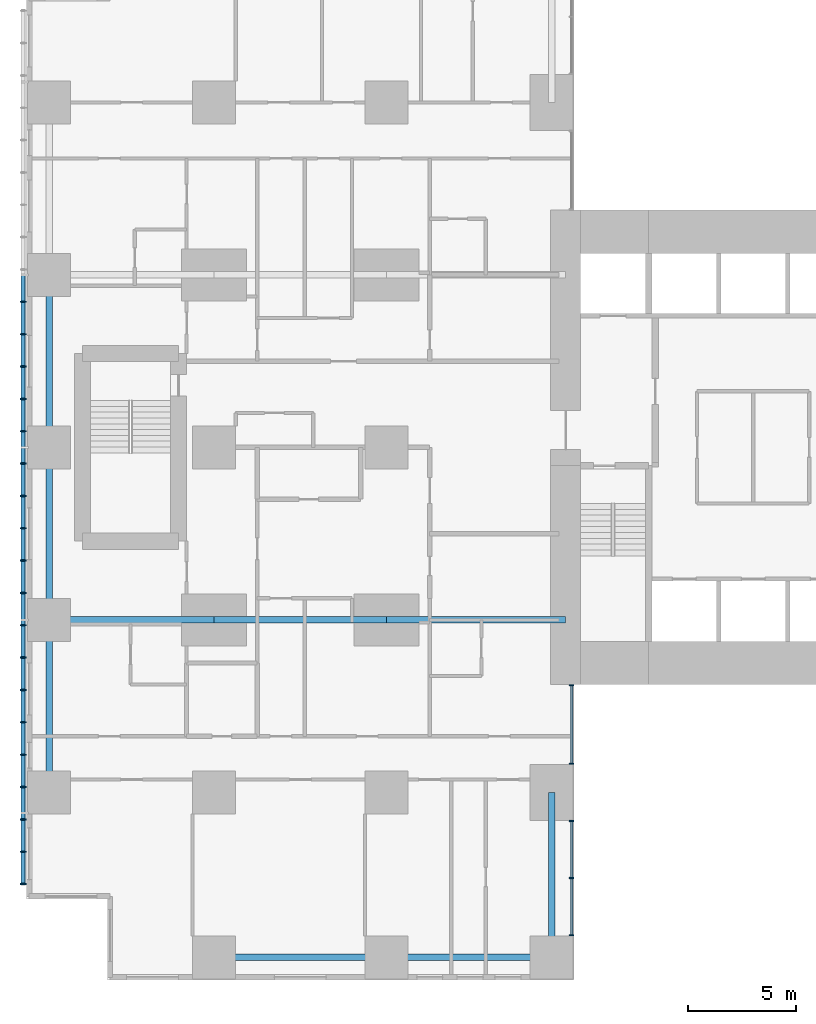
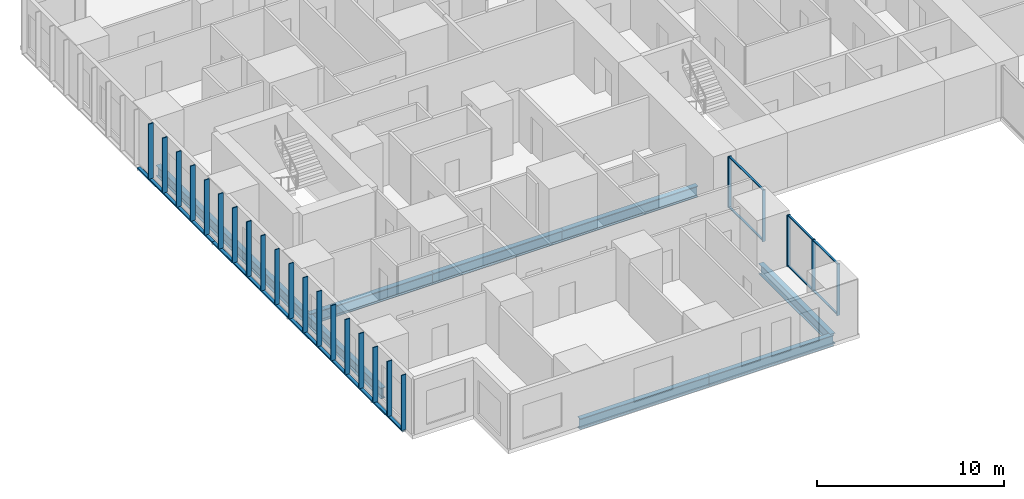
# One storey, part 2 of 20: 33 members, 9 beams, 2 elements without a shape of their own.
"""IFC4 building model written with IfcOpenShell, lengths in metres."""

from ifc_helpers import new_model, si_unit, direction, frame, origin, origin_2d, place, context, subcontext, project, spatial, rectangle, hollow_rectangle, i_section, extrude, material, layer, layer_set, material_profile, profile_set, type_object, element, aggregate, save


model = new_model("IFC4")

# Units and contexts
model_context = context("Model", 3, precision=1e-05, world=origin(), true_north=direction((0.0, 1.0)))
body_context = subcontext(model_context, "Body", "Model", "MODEL_VIEW")
ifc_project = project(units=[si_unit("LENGTHUNIT", "METRE"), si_unit("AREAUNIT", "SQUARE_METRE"), si_unit("VOLUMEUNIT", "CUBIC_METRE"), si_unit("PLANEANGLEUNIT", "RADIAN"), si_unit("MASSUNIT", "GRAM", prefix="KILO")], contexts=[model_context])

# Site, building, storey
site_placement = place(None, origin())
site = spatial("IfcSite", under=ifc_project, at=site_placement, CompositionType="ELEMENT")
building_placement = place(site_placement, origin())
building = spatial("IfcBuilding", under=site, at=building_placement, Name="Cleftline Residences", CompositionType="ELEMENT")
storey_placement = place(building_placement, frame((0.0, 0.0, 153.800048828125)))
storey = spatial("IfcBuildingStorey", under=building, at=storey_placement, Name="L40", CompositionType="ELEMENT", Elevation=153.800048828125)

# Members
ifc_material_1 = material(Name="Steel S355, hot-dip galvanised", Category="steel")
ifc_material_profile_1 = material_profile(ifc_material_1, hollow_rectangle(XDim=0.10009765625, YDim=0.199951171875, WallThickness=0.008056640625, InnerFilletRadius=0.008056640625, OuterFilletRadius=0.011962890625, at=origin_2d()))
ifc_profile_set_1 = profile_set([ifc_material_profile_1], Name="Steel S355, hot-dip galvanised")
member_type_1 = type_object("IfcMemberType", Name="BAGUETTE CARRIER RHS 200X100X8", PredefinedType="USERDEFINED", material=ifc_profile_set_1)
for number, where, z_axis, x_axis, name in (
    (1, (-0.85009765625, 32.0, -0.050048828125), (0.0, -1.0, 0.0), (0.0, 0.0, 1.0), "Baguette carrier"),
    (2, (-0.85009765625, 24.0, -0.050048828125), (0.0, -1.0, 0.0), (0.0, 0.0, 1.0), "Baguette carrier"),
):
    element("IfcMember", number, at=place(storey_placement, frame(where, z_axis=z_axis, x_axis=x_axis)), inside=storey, type_object=member_type_1, Name=name, ObjectType="BAGUETTE CARRIER", PredefinedType="USERDEFINED", context=body_context, shape_type="SweptSolid", body=[
        extrude(hollow_rectangle(XDim=0.10009765625, YDim=0.199951171875, WallThickness=0.008056640625, InnerFilletRadius=0.008056640625, OuterFilletRadius=0.011962890625, at=origin_2d()), origin(), (0.0, 0.0, 1.0), 8.0),
    ])
member_1_placement = place(storey_placement, frame((-0.85009765625, 16.0, -0.050048828125), z_axis=(0.0, -1.0, 0.0), x_axis=(0.0, 0.0, 1.0)))
element("IfcMember", 3, at=member_1_placement, inside=storey, type_object=member_type_1, Name="Baguette carrier", ObjectType="BAGUETTE CARRIER", PredefinedType="USERDEFINED", context=body_context, shape_type="SweptSolid", body=[
    extrude(hollow_rectangle(XDim=0.10009765625, YDim=0.199951171875, WallThickness=0.008056640625, InnerFilletRadius=0.008056640625, OuterFilletRadius=0.011962890625, at=origin_2d()), origin(), (0.0, 0.0, 1.0), 12.300048828125),
])

# Beams
ifc_material_2 = material(Name="Steel S355", Category="steel")
ifc_material_profile_2 = material_profile(ifc_material_2, i_section(OverallWidth=0.300048828125, OverallDepth=0.699951171875, WebThickness=0.01708984375, FlangeThickness=0.031982421875, FilletRadius=0.027099609375, at=origin_2d()))
ifc_profile_set_2 = profile_set([ifc_material_profile_2], Name="Steel S355")
beam_type_1 = type_object("IfcBeamType", Name="BEAM HEB 700", PredefinedType="BEAM", material=ifc_profile_set_2)
for number, where, z_axis, x_axis, name in (
    (4, (0.35009765625, 8.0, -0.60009765625), (0.0, 1.0, 0.0), (-1.0, 0.0, 0.0), "Edge beam"),
    (5, (0.35009765625, 16.0, -0.60009765625), (0.0, 1.0, 0.0), (-1.0, 0.0, 0.0), "Edge beam"),
    (6, (0.35009765625, 24.0, -0.60009765625), (0.0, 1.0, 0.0), (-1.0, 0.0, 0.0), "Edge beam"),
    (7, (8.0, 0.35009765625, -0.60009765625), (1.0, 0.0, 0.0), (0.0, 1.0, 0.0), "Edge beam"),
):
    element("IfcBeam", number, at=place(storey_placement, frame(where, z_axis=z_axis, x_axis=x_axis)), inside=storey, type_object=beam_type_1, Name=name, PredefinedType="BEAM", context=body_context, shape_type="SweptSolid", body=[
        extrude(i_section(OverallWidth=0.300048828125, OverallDepth=0.699951171875, WebThickness=0.01708984375, FlangeThickness=0.031982421875, FilletRadius=0.027099609375, at=origin_2d()), origin(), (0.0, 0.0, 1.0), 8.0),
    ])
for number, where, z_axis, x_axis, name in (
    (8, (16.0, 0.35009765625, -0.60009765625), (1.0, 0.0, 0.0), (0.0, 1.0, 0.0), "Edge beam"),
    (9, (23.64990234375, 0.35009765625, -0.60009765625), (0.0, 1.0, 0.0), (-1.0, 0.0, 0.0), "Edge beam"),
):
    element("IfcBeam", number, at=place(storey_placement, frame(where, z_axis=z_axis, x_axis=x_axis)), inside=storey, type_object=beam_type_1, Name=name, PredefinedType="BEAM", context=body_context, shape_type="SweptSolid", body=[
        extrude(i_section(OverallWidth=0.300048828125, OverallDepth=0.699951171875, WebThickness=0.01708984375, FlangeThickness=0.031982421875, FilletRadius=0.027099609375, at=origin_2d()), origin(), (0.0, 0.0, 1.0), 7.64990234375),
    ])
ifc_material_3 = material(Name="Steel S355", Category="steel")
ifc_material_profile_3 = material_profile(ifc_material_3, i_section(OverallWidth=0.303955078125, OverallDepth=0.716064453125, WebThickness=0.02099609375, FlangeThickness=0.0400390625, FilletRadius=0.027099609375, at=origin_2d()))
ifc_profile_set_3 = profile_set([ifc_material_profile_3], Name="Steel S355")
beam_type_2 = type_object("IfcBeamType", Name="BEAM HEM 700", PredefinedType="BEAM", material=ifc_profile_set_3)
beam_1_placement = place(storey_placement, frame((0.35009765625, 16.0, -0.608154296875), z_axis=(1.0, 0.0, 0.0), x_axis=(0.0, 1.0, 0.0)))
element("IfcBeam", 10, at=beam_1_placement, inside=storey, type_object=beam_type_2, Name="Band beam", PredefinedType="BEAM", context=body_context, shape_type="SweptSolid", body=[
    extrude(i_section(OverallWidth=0.303955078125, OverallDepth=0.716064453125, WebThickness=0.02099609375, FlangeThickness=0.0400390625, FilletRadius=0.027099609375, at=origin_2d()), origin(), (0.0, 0.0, 1.0), 7.64990234375),
])
beam_2_placement = place(storey_placement, frame((8.0, 16.0, -0.608154296875), z_axis=(1.0, 0.0, 0.0), x_axis=(0.0, 1.0, 0.0)))
element("IfcBeam", 11, at=beam_2_placement, inside=storey, type_object=beam_type_2, Name="Band beam", PredefinedType="BEAM", context=body_context, shape_type="SweptSolid", body=[
    extrude(i_section(OverallWidth=0.303955078125, OverallDepth=0.716064453125, WebThickness=0.02099609375, FlangeThickness=0.0400390625, FilletRadius=0.027099609375, at=origin_2d()), origin(), (0.0, 0.0, 1.0), 8.0),
])
beam_3_placement = place(storey_placement, frame((16.0, 16.0, -0.608154296875), z_axis=(1.0, 0.0, 0.0), x_axis=(0.0, 1.0, 0.0)))
element("IfcBeam", 12, at=beam_3_placement, inside=storey, type_object=beam_type_2, Name="Band beam", PredefinedType="BEAM", context=body_context, shape_type="SweptSolid", body=[
    extrude(i_section(OverallWidth=0.303955078125, OverallDepth=0.716064453125, WebThickness=0.02099609375, FlangeThickness=0.0400390625, FilletRadius=0.027099609375, at=origin_2d()), origin(), (0.0, 0.0, 1.0), 8.300048828125),
])

# Curtain wall, members
ifc_material_4 = material(Name="Aluminium framed curtain wall", Category="aluminium")
ifc_layer = layer(ifc_material_4, 0.199951171875)
ifc_layer_set = layer_set([ifc_layer], Name="CW1 CLEFT GLAZING")
curtain_wall_type = type_object("IfcCurtainWallType", Name="CW1 CLEFT GLAZING", PredefinedType="NOTDEFINED", material=ifc_layer_set)
curtain_wall_1_placement = place(storey_placement, origin())
curtain_wall_1 = element("IfcCurtainWall", 13, at=curtain_wall_1_placement, inside=storey, type_object=curtain_wall_type, Name="Curtain wall CW1", PredefinedType="NOTDEFINED")
ifc_material_5 = material(Name="Aluminium mullion", Category="aluminium")
ifc_material_profile_4 = material_profile(ifc_material_5, rectangle(XDim=0.199951171875, YDim=0.06005859375, at=origin_2d()))
ifc_profile_set_4 = profile_set([ifc_material_profile_4], Name="Aluminium mullion")
member_type_2 = type_object("IfcMemberType", Name="CW1 MULLION", PredefinedType="MULLION", material=ifc_profile_set_4)
member_2_placement = place(storey_placement, frame((24.574951171875, 1.3798828125, 0.0), z_axis=(0.0, 0.0, 1.0), x_axis=(-1.0, 0.0, 0.0)))
member_2 = element("IfcMember", 14, at=member_2_placement, type_object=member_type_2, Name="CW1 mullion 1", PredefinedType="MULLION", context=body_context, shape_type="SweptSolid", body=[
    extrude(rectangle(XDim=0.199951171875, YDim=0.06005859375, at=origin_2d()), origin(), (0.0, 0.0, 1.0), 3.349853515625),
])
member_3_placement = place(storey_placement, frame((24.574951171875, 4.02490234375, 0.0), z_axis=(0.0, 0.0, 1.0), x_axis=(-1.0, 0.0, 0.0)))
member_3 = element("IfcMember", 15, at=member_3_placement, type_object=member_type_2, Name="CW1 mullion 2", PredefinedType="MULLION", context=body_context, shape_type="SweptSolid", body=[
    extrude(rectangle(XDim=0.199951171875, YDim=0.06005859375, at=origin_2d()), origin(), (0.0, 0.0, 1.0), 3.349853515625),
])
member_4_placement = place(storey_placement, frame((24.574951171875, 6.669921875, 0.0), z_axis=(0.0, 0.0, 1.0), x_axis=(-1.0, 0.0, 0.0)))
member_4 = element("IfcMember", 16, at=member_4_placement, type_object=member_type_2, Name="CW1 mullion 3", PredefinedType="MULLION", context=body_context, shape_type="SweptSolid", body=[
    extrude(rectangle(XDim=0.199951171875, YDim=0.06005859375, at=origin_2d()), origin(), (0.0, 0.0, 1.0), 3.349853515625),
])

curtain_wall_2_placement = place(storey_placement, origin())
curtain_wall_2 = element("IfcCurtainWall", 17, at=curtain_wall_2_placement, inside=storey, type_object=curtain_wall_type, Name="Curtain wall CW1", PredefinedType="NOTDEFINED")
member_5_placement = place(storey_placement, frame((24.574951171875, 9.330078125, 0.0), z_axis=(0.0, 0.0, 1.0), x_axis=(-1.0, 0.0, 0.0)))
member_5 = element("IfcMember", 18, at=member_5_placement, type_object=member_type_2, Name="CW1 mullion 1", PredefinedType="MULLION", context=body_context, shape_type="SweptSolid", body=[
    extrude(rectangle(XDim=0.199951171875, YDim=0.06005859375, at=origin_2d()), origin(), (0.0, 0.0, 1.0), 3.349853515625),
])
member_6_placement = place(storey_placement, frame((24.574951171875, 12.969970703125, 0.0), z_axis=(0.0, 0.0, 1.0), x_axis=(-1.0, 0.0, 0.0)))
member_6 = element("IfcMember", 19, at=member_6_placement, type_object=member_type_2, Name="CW1 mullion 2", PredefinedType="MULLION", context=body_context, shape_type="SweptSolid", body=[
    extrude(rectangle(XDim=0.199951171875, YDim=0.06005859375, at=origin_2d()), origin(), (0.0, 0.0, 1.0), 3.349853515625),
])

# Member
ifc_material_6 = material(Name="Aluminium transom", Category="aluminium")
ifc_material_profile_5 = material_profile(ifc_material_6, rectangle(XDim=0.1201171875, YDim=0.06005859375, at=origin_2d()))
ifc_profile_set_5 = profile_set([ifc_material_profile_5], Name="Aluminium transom")
member_type_3 = type_object("IfcMemberType", Name="CW1 TRANSOM", PredefinedType="USERDEFINED", material=ifc_profile_set_5)
member_7_placement = place(storey_placement, frame((24.574951171875, 1.409912109375, 0.030029296875), z_axis=(0.0, 1.0, 0.0), x_axis=(-1.0, 0.0, 0.0)))
member_7 = element("IfcMember", 20, at=member_7_placement, type_object=member_type_3, Name="CW1 transom 1.1", ObjectType="TRANSOM", PredefinedType="USERDEFINED", context=body_context, shape_type="SweptSolid", body=[
    extrude(rectangle(XDim=0.1201171875, YDim=0.06005859375, at=origin_2d()), origin(), (0.0, 0.0, 1.0), 2.585205078125),
])

member_8_placement = place(storey_placement, frame((24.574951171875, 1.409912109375, 3.320068359375), z_axis=(0.0, 1.0, 0.0), x_axis=(-1.0, 0.0, 0.0)))
member_8 = element("IfcMember", 21, at=member_8_placement, type_object=member_type_3, Name="CW1 transom 1.2", ObjectType="TRANSOM", PredefinedType="USERDEFINED", context=body_context, shape_type="SweptSolid", body=[
    extrude(rectangle(XDim=0.1201171875, YDim=0.06005859375, at=origin_2d()), origin(), (0.0, 0.0, 1.0), 2.585205078125),
])

member_9_placement = place(storey_placement, frame((24.574951171875, 4.054931640625, 0.030029296875), z_axis=(0.0, 1.0, 0.0), x_axis=(-1.0, 0.0, 0.0)))
member_9 = element("IfcMember", 22, at=member_9_placement, type_object=member_type_3, Name="CW1 transom 2.1", ObjectType="TRANSOM", PredefinedType="USERDEFINED", context=body_context, shape_type="SweptSolid", body=[
    extrude(rectangle(XDim=0.1201171875, YDim=0.06005859375, at=origin_2d()), origin(), (0.0, 0.0, 1.0), 2.5849609375),
])

member_10_placement = place(storey_placement, frame((24.574951171875, 4.054931640625, 3.320068359375), z_axis=(0.0, 1.0, 0.0), x_axis=(-1.0, 0.0, 0.0)))
member_10 = element("IfcMember", 23, at=member_10_placement, type_object=member_type_3, Name="CW1 transom 2.2", ObjectType="TRANSOM", PredefinedType="USERDEFINED", context=body_context, shape_type="SweptSolid", body=[
    extrude(rectangle(XDim=0.1201171875, YDim=0.06005859375, at=origin_2d()), origin(), (0.0, 0.0, 1.0), 2.5849609375),
])

aggregate(curtain_wall_1, [member_2, member_3, member_4, member_7, member_8, member_9, member_10])

member_11_placement = place(storey_placement, frame((24.574951171875, 9.360107421875, 0.030029296875), z_axis=(0.0, 1.0, 0.0), x_axis=(-1.0, 0.0, 0.0)))
member_11 = element("IfcMember", 24, at=member_11_placement, type_object=member_type_3, Name="CW1 transom 1.1", ObjectType="TRANSOM", PredefinedType="USERDEFINED", context=body_context, shape_type="SweptSolid", body=[
    extrude(rectangle(XDim=0.1201171875, YDim=0.06005859375, at=origin_2d()), origin(), (0.0, 0.0, 1.0), 3.579833984375),
])

member_12_placement = place(storey_placement, frame((24.574951171875, 9.360107421875, 3.320068359375), z_axis=(0.0, 1.0, 0.0), x_axis=(-1.0, 0.0, 0.0)))
member_12 = element("IfcMember", 25, at=member_12_placement, type_object=member_type_3, Name="CW1 transom 1.2", ObjectType="TRANSOM", PredefinedType="USERDEFINED", context=body_context, shape_type="SweptSolid", body=[
    extrude(rectangle(XDim=0.1201171875, YDim=0.06005859375, at=origin_2d()), origin(), (0.0, 0.0, 1.0), 3.579833984375),
])

aggregate(curtain_wall_2, [member_5, member_6, member_11, member_12])

# Members
ifc_material_7 = material(Name="Extruded terracotta", Category="masonry")
ifc_material_profile_6 = material_profile(ifc_material_7, rectangle(XDim=0.06005859375, YDim=0.300048828125, at=origin_2d()))
ifc_profile_set_6 = profile_set([ifc_material_profile_6], Name="Extruded terracotta")
member_type_4 = type_object("IfcMemberType", Name="TERRACOTTA BAGUETTE 60X300", PredefinedType="USERDEFINED", material=ifc_profile_set_6)
for number, where, z_axis, x_axis, name in (
    (26, (-0.85009765625, 30.75, 0.0), (0.0, 0.0, 1.0), (0.0, 1.0, 0.0), "Terracotta baguette"),
    (27, (-0.85009765625, 29.25, 0.0), (0.0, 0.0, 1.0), (0.0, 1.0, 0.0), "Terracotta baguette"),
    (28, (-0.85009765625, 27.75, 0.0), (0.0, 0.0, 1.0), (0.0, 1.0, 0.0), "Terracotta baguette"),
    (29, (-0.85009765625, 26.25, 0.0), (0.0, 0.0, 1.0), (0.0, 1.0, 0.0), "Terracotta baguette"),
    (30, (-0.85009765625, 24.75, 0.0), (0.0, 0.0, 1.0), (0.0, 1.0, 0.0), "Terracotta baguette"),
    (31, (-0.85009765625, 23.25, 0.0), (0.0, 0.0, 1.0), (0.0, 1.0, 0.0), "Terracotta baguette"),
    (32, (-0.85009765625, 21.75, 0.0), (0.0, 0.0, 1.0), (0.0, 1.0, 0.0), "Terracotta baguette"),
    (33, (-0.85009765625, 20.25, 0.0), (0.0, 0.0, 1.0), (0.0, 1.0, 0.0), "Terracotta baguette"),
    (34, (-0.85009765625, 18.75, 0.0), (0.0, 0.0, 1.0), (0.0, 1.0, 0.0), "Terracotta baguette"),
    (35, (-0.85009765625, 17.25, 0.0), (0.0, 0.0, 1.0), (0.0, 1.0, 0.0), "Terracotta baguette"),
    (36, (-0.85009765625, 15.75, 0.0), (0.0, 0.0, 1.0), (0.0, 1.0, 0.0), "Terracotta baguette"),
    (37, (-0.85009765625, 14.25, 0.0), (0.0, 0.0, 1.0), (0.0, 1.0, 0.0), "Terracotta baguette"),
    (38, (-0.85009765625, 12.75, 0.0), (0.0, 0.0, 1.0), (0.0, 1.0, 0.0), "Terracotta baguette"),
    (39, (-0.85009765625, 11.25, 0.0), (0.0, 0.0, 1.0), (0.0, 1.0, 0.0), "Terracotta baguette"),
    (40, (-0.85009765625, 9.75, 0.0), (0.0, 0.0, 1.0), (0.0, 1.0, 0.0), "Terracotta baguette"),
    (41, (-0.85009765625, 8.25, 0.0), (0.0, 0.0, 1.0), (0.0, 1.0, 0.0), "Terracotta baguette"),
    (42, (-0.85009765625, 6.75, 0.0), (0.0, 0.0, 1.0), (0.0, 1.0, 0.0), "Terracotta baguette"),
    (43, (-0.85009765625, 5.25, 0.0), (0.0, 0.0, 1.0), (0.0, 1.0, 0.0), "Terracotta baguette"),
    (44, (-0.85009765625, 3.75, 0.0), (0.0, 0.0, 1.0), (0.0, 1.0, 0.0), "Terracotta baguette"),
):
    element("IfcMember", number, at=place(storey_placement, frame(where, z_axis=z_axis, x_axis=x_axis)), inside=storey, type_object=member_type_4, Name=name, ObjectType="BAGUETTE", PredefinedType="USERDEFINED", context=body_context, shape_type="SweptSolid", body=[
        extrude(rectangle(XDim=0.06005859375, YDim=0.300048828125, at=origin_2d()), origin(), (0.0, 0.0, 1.0), 3.599853515625),
    ])

save(model, "model.ifc")
